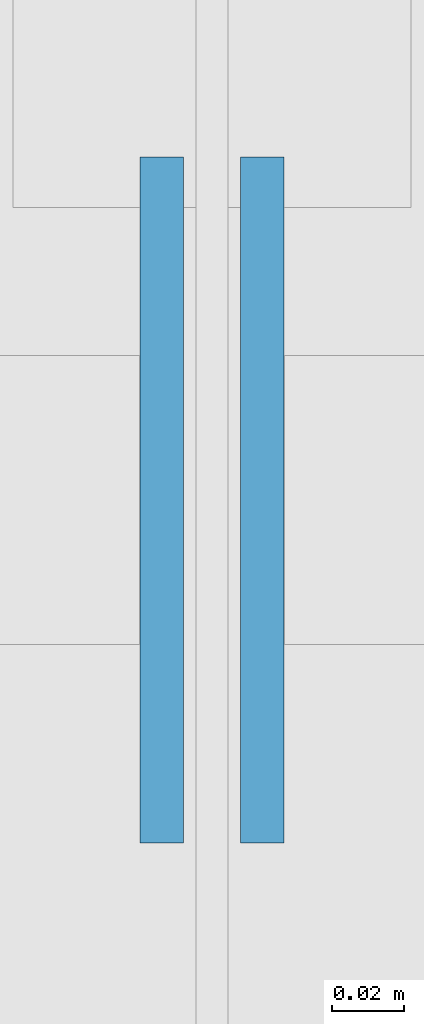
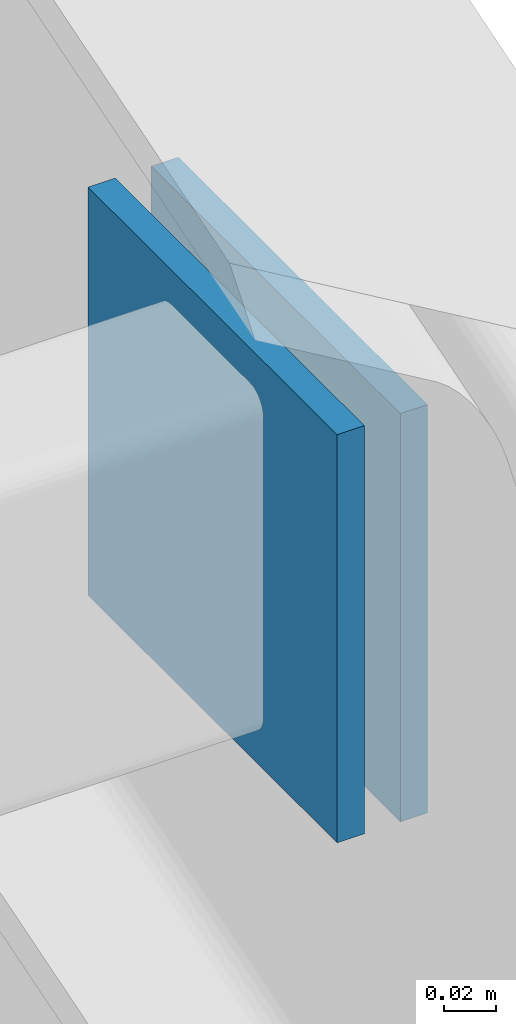
# One storey, part 137 of 163: 2 plates.
"""IFC4 building model written with IfcOpenShell, lengths in metres."""

from ifc_helpers import new_model, si_unit, direction, frame, origin, origin_2d, place, context, subcontext, project, spatial, rectangle, extrude, material, layer, layer_set, type_object, element, save


model = new_model("IFC4")

# Units and contexts
model_context = context("Model", 3, precision=1e-05, world=origin(), true_north=direction((0.0, 1.0)))
body_context = subcontext(model_context, "Body", "Model", "MODEL_VIEW")
ifc_project = project(units=[si_unit("LENGTHUNIT", "METRE"), si_unit("AREAUNIT", "SQUARE_METRE"), si_unit("VOLUMEUNIT", "CUBIC_METRE"), si_unit("PLANEANGLEUNIT", "RADIAN"), si_unit("MASSUNIT", "GRAM", prefix="KILO")], contexts=[model_context])

# Site, building, storey
site_placement = place(None, origin())
site = spatial("IfcSite", under=ifc_project, at=site_placement, CompositionType="ELEMENT")
building_placement = place(site_placement, origin())
building = spatial("IfcBuilding", under=site, at=building_placement, Name="Tharagai Park Tramway Depot", CompositionType="ELEMENT")
storey_placement = place(building_placement, frame((0.0, 0.0, 8.39990234375)))
storey = spatial("IfcBuildingStorey", under=building, at=storey_placement, Name="L02", CompositionType="ELEMENT", Elevation=8.39990234375)

# Plates
ifc_material = material(Name="Steel E350", Category="steel")
ifc_layer = layer(ifc_material, 0.011962890625)
ifc_layer_set = layer_set([ifc_layer], Name="Steel E350")
plate_type = type_object("IfcPlateType", Name="GP-04", PredefinedType="SHEET", material=ifc_layer_set)
for number, where, z_axis, x_axis, name in (
    (1, (89.986083984375, 103.5, 1.8515625), (0.0, 0.0, 1.0), (1.0, 0.0, 0.0), "Tube End Cap Plate GP-04"),
    (2, (90.013916015625, 103.5, 1.8515625), (0.0, 0.0, 1.0), (1.0, 0.0, 0.0), "Tube End Cap Plate GP-04"),
):
    element("IfcPlate", number, at=place(storey_placement, frame(where, z_axis=z_axis, x_axis=x_axis)), inside=storey, type_object=plate_type, Name=name, PredefinedType="SHEET", context=body_context, shape_type="SweptSolid", body=[
        extrude(rectangle(XDim=0.011962890625, YDim=0.18994140625, at=origin_2d()), origin(), (0.0, 0.0, 1.0), 0.18994140625),
    ])

save(model, "model.ifc")
